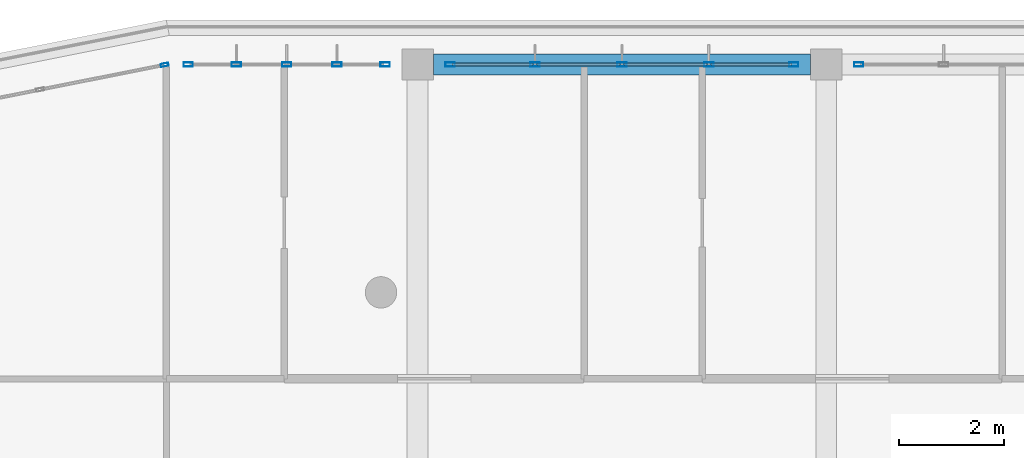
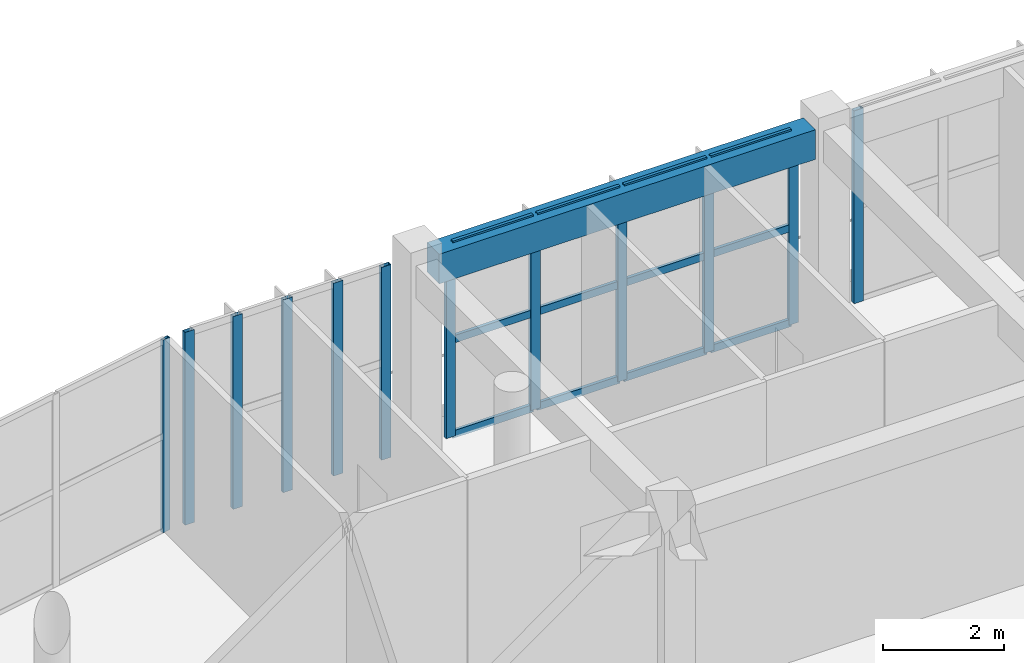
# One storey, part 9 of 56: 24 members, 1 beam, 4 elements without a shape of their own.
"""IFC4 building model written with IfcOpenShell, lengths in metres."""

from ifc_helpers import new_model, si_unit, direction, frame, origin, origin_2d, place, context, subcontext, project, spatial, rectangle, hollow_rectangle, extrude, material, layer, layer_set, material_profile, profile_set, type_object, element, aggregate, save


model = new_model("IFC4")

# Units and contexts
model_context = context("Model", 3, precision=1e-05, world=origin(), true_north=direction((0.0, 1.0)))
body_context = subcontext(model_context, "Body", "Model", "MODEL_VIEW")
ifc_project = project(units=[si_unit("LENGTHUNIT", "METRE"), si_unit("AREAUNIT", "SQUARE_METRE"), si_unit("VOLUMEUNIT", "CUBIC_METRE"), si_unit("PLANEANGLEUNIT", "RADIAN"), si_unit("MASSUNIT", "GRAM", prefix="KILO")], contexts=[model_context])

# Site, building, storey
site_placement = place(None, origin())
site = spatial("IfcSite", under=ifc_project, at=site_placement, CompositionType="ELEMENT")
building_placement = place(site_placement, origin())
building = spatial("IfcBuilding", under=site, at=building_placement, Name="Zizhar Promenade General Hospital", CompositionType="ELEMENT")
storey_placement = place(building_placement, frame((0.0, 0.0, 26.39990234375)))
storey = spatial("IfcBuildingStorey", under=building, at=storey_placement, Name="L06", CompositionType="ELEMENT", Elevation=26.39990234375)

# Beam
ifc_material_1 = material(Name="Concrete C35/45", Category="concrete")
ifc_material_profile_1 = material_profile(ifc_material_1, rectangle(XDim=0.39990234375, YDim=0.60009765625, at=origin_2d()))
ifc_profile_set_1 = profile_set([ifc_material_profile_1], Name="Concrete C35/45")
beam_type = type_object("IfcBeamType", Name="BM-RC-400x600", PredefinedType="JOIST", material=ifc_profile_set_1)
beam_placement = place(storey_placement, frame((39.300048828125, 25.199951171875, 3.610107421875), z_axis=(1.0, 0.0, 0.0), x_axis=(0.0, 1.0, 0.0)))
element("IfcBeam", 1, at=beam_placement, inside=storey, type_object=beam_type, Name="Grid Beam X L06 (5-3)", PredefinedType="JOIST", context=body_context, shape_type="SweptSolid", body=[
    extrude(rectangle(XDim=0.39990234375, YDim=0.60009765625, at=origin_2d()), origin(), (0.0, 0.0, 1.0), 7.199951171875),
])

# Curtain wall, member
ifc_material_2 = material(Name="Anodised aluminium 6063-T6 and low-E glass", Category="aluminium")
ifc_layer_1 = layer(ifc_material_2, 0.159912109375)
ifc_layer_set_1 = layer_set([ifc_layer_1], Name="Anodised aluminium 6063-T6 and low-E glass")
curtain_wall_type_1 = type_object("IfcCurtainWallType", Name="CW-WARD-ARC", PredefinedType="NOTDEFINED", material=ifc_layer_set_1)
curtain_wall_1_placement = place(storey_placement, origin())
curtain_wall_1 = element("IfcCurtainWall", 2, at=curtain_wall_1_placement, inside=storey, type_object=curtain_wall_type_1, Name="Ward Semicircular End Glazing L06-10", PredefinedType="NOTDEFINED")
ifc_material_3 = material(Name="Anodised aluminium 6063-T6", Category="aluminium")
ifc_material_profile_2 = material_profile(ifc_material_3, hollow_rectangle(XDim=0.06005859375, YDim=0.14990234375, WallThickness=0.00390625, at=origin_2d()))
ifc_profile_set_2 = profile_set([ifc_material_profile_2], Name="Anodised aluminium 6063-T6")
member_type_1 = type_object("IfcMemberType", Name="CWM-ALU-150x60", PredefinedType="MULLION", material=ifc_profile_set_2)
member_1_placement = place(storey_placement, frame((34.170654296875, 25.194091796875, 0.0), z_axis=(0.0, 0.0, 1.0), x_axis=(-0.195087259275, 0.980785889615, 0.0)))
member_1 = element("IfcMember", 3, at=member_1_placement, type_object=member_type_1, Name="CW-12 mullion 3", PredefinedType="MULLION", context=body_context, shape_type="SweptSolid", body=[
    extrude(hollow_rectangle(XDim=0.06005859375, YDim=0.14990234375, WallThickness=0.00390625, at=origin_2d()), origin(), (0.0, 0.0, 1.0), 3.900146484375),
])
aggregate(curtain_wall_1, [member_1])

# Curtain wall, members
ifc_material_4 = material(Name="Anodised aluminium 6063-T6 and low-E glass", Category="aluminium")
ifc_layer_2 = layer(ifc_material_4, 0.159912109375)
ifc_layer_set_2 = layer_set([ifc_layer_2], Name="Anodised aluminium 6063-T6 and low-E glass")
curtain_wall_type_2 = type_object("IfcCurtainWallType", Name="CW-WARD-RIB", PredefinedType="NOTDEFINED", material=ifc_layer_set_2)
curtain_wall_2_placement = place(storey_placement, origin())
curtain_wall_2 = element("IfcCurtainWall", 4, at=curtain_wall_2_placement, inside=storey, type_object=curtain_wall_type_2, Name="Ward Ribbon Curtain Wall L06-8-0", PredefinedType="NOTDEFINED")
ifc_material_5 = material(Name="Anodised aluminium 6063-T6", Category="aluminium")
ifc_material_profile_3 = material_profile(ifc_material_5, hollow_rectangle(XDim=0.080078125, YDim=0.179931640625, WallThickness=0.0048828125, at=origin_2d()))
ifc_profile_set_3 = profile_set([ifc_material_profile_3], Name="Anodised aluminium 6063-T6")
member_type_2 = type_object("IfcMemberType", Name="CWM-ALU-180x80", PredefinedType="MULLION", material=ifc_profile_set_3)
member_2_placement = place(storey_placement, frame((34.6201171875, 25.199951171875, 0.0), z_axis=(0.0, 0.0, 1.0), x_axis=(0.0, 1.0, 0.0)))
member_2 = element("IfcMember", 5, at=member_2_placement, type_object=member_type_2, Name="CW-13 mullion 1", PredefinedType="MULLION", context=body_context, shape_type="SweptSolid", body=[
    extrude(hollow_rectangle(XDim=0.080078125, YDim=0.179931640625, WallThickness=0.0048828125, at=origin_2d()), origin(), (0.0, 0.0, 1.0), 3.900146484375),
])
member_3_placement = place(storey_placement, frame((35.5400390625, 25.199951171875, 0.0), z_axis=(0.0, 0.0, 1.0), x_axis=(0.0, 1.0, 0.0)))
member_3 = element("IfcMember", 6, at=member_3_placement, type_object=member_type_2, Name="CW-13 mullion 2", PredefinedType="MULLION", context=body_context, shape_type="SweptSolid", body=[
    extrude(hollow_rectangle(XDim=0.080078125, YDim=0.179931640625, WallThickness=0.0048828125, at=origin_2d()), origin(), (0.0, 0.0, 1.0), 3.900146484375),
])
member_4_placement = place(storey_placement, frame((36.5, 25.199951171875, 0.0), z_axis=(0.0, 0.0, 1.0), x_axis=(0.0, 1.0, 0.0)))
member_4 = element("IfcMember", 7, at=member_4_placement, type_object=member_type_2, Name="CW-13 mullion 3", PredefinedType="MULLION", context=body_context, shape_type="SweptSolid", body=[
    extrude(hollow_rectangle(XDim=0.080078125, YDim=0.179931640625, WallThickness=0.0048828125, at=origin_2d()), origin(), (0.0, 0.0, 1.0), 3.900146484375),
])
member_5_placement = place(storey_placement, frame((37.4599609375, 25.199951171875, 0.0), z_axis=(0.0, 0.0, 1.0), x_axis=(0.0, 1.0, 0.0)))
member_5 = element("IfcMember", 8, at=member_5_placement, type_object=member_type_2, Name="CW-13 mullion 4", PredefinedType="MULLION", context=body_context, shape_type="SweptSolid", body=[
    extrude(hollow_rectangle(XDim=0.080078125, YDim=0.179931640625, WallThickness=0.0048828125, at=origin_2d()), origin(), (0.0, 0.0, 1.0), 3.900146484375),
])
member_6_placement = place(storey_placement, frame((38.3798828125, 25.199951171875, 0.0), z_axis=(0.0, 0.0, 1.0), x_axis=(0.0, 1.0, 0.0)))
member_6 = element("IfcMember", 9, at=member_6_placement, type_object=member_type_2, Name="CW-13 mullion 5", PredefinedType="MULLION", context=body_context, shape_type="SweptSolid", body=[
    extrude(hollow_rectangle(XDim=0.080078125, YDim=0.179931640625, WallThickness=0.0048828125, at=origin_2d()), origin(), (0.0, 0.0, 1.0), 3.900146484375),
])
aggregate(curtain_wall_2, [member_2, member_3, member_4, member_5, member_6])

curtain_wall_3_placement = place(storey_placement, origin())
curtain_wall_3 = element("IfcCurtainWall", 10, at=curtain_wall_3_placement, inside=storey, type_object=curtain_wall_type_2, Name="Ward Ribbon Curtain Wall L06-8-1", PredefinedType="NOTDEFINED")
member_7_placement = place(storey_placement, frame((39.6201171875, 25.199951171875, 0.0), z_axis=(0.0, 0.0, 1.0), x_axis=(0.0, 1.0, 0.0)))
member_7 = element("IfcMember", 11, at=member_7_placement, type_object=member_type_2, Name="CW-13 mullion 1", PredefinedType="MULLION", context=body_context, shape_type="SweptSolid", body=[
    extrude(hollow_rectangle(XDim=0.080078125, YDim=0.179931640625, WallThickness=0.0048828125, at=origin_2d()), origin(), (0.0, 0.0, 1.0), 3.900146484375),
])
member_8_placement = place(storey_placement, frame((41.239990234375, 25.199951171875, 0.0), z_axis=(0.0, 0.0, 1.0), x_axis=(0.0, 1.0, 0.0)))
member_8 = element("IfcMember", 12, at=member_8_placement, type_object=member_type_2, Name="CW-13 mullion 2", PredefinedType="MULLION", context=body_context, shape_type="SweptSolid", body=[
    extrude(hollow_rectangle(XDim=0.080078125, YDim=0.179931640625, WallThickness=0.0048828125, at=origin_2d()), origin(), (0.0, 0.0, 1.0), 3.900146484375),
])
member_9_placement = place(storey_placement, frame((42.89990234375, 25.199951171875, 0.0), z_axis=(0.0, 0.0, 1.0), x_axis=(0.0, 1.0, 0.0)))
member_9 = element("IfcMember", 13, at=member_9_placement, type_object=member_type_2, Name="CW-13 mullion 3", PredefinedType="MULLION", context=body_context, shape_type="SweptSolid", body=[
    extrude(hollow_rectangle(XDim=0.080078125, YDim=0.179931640625, WallThickness=0.0048828125, at=origin_2d()), origin(), (0.0, 0.0, 1.0), 3.900146484375),
])
member_10_placement = place(storey_placement, frame((44.56005859375, 25.199951171875, 0.0), z_axis=(0.0, 0.0, 1.0), x_axis=(0.0, 1.0, 0.0)))
member_10 = element("IfcMember", 14, at=member_10_placement, type_object=member_type_2, Name="CW-13 mullion 4", PredefinedType="MULLION", context=body_context, shape_type="SweptSolid", body=[
    extrude(hollow_rectangle(XDim=0.080078125, YDim=0.179931640625, WallThickness=0.0048828125, at=origin_2d()), origin(), (0.0, 0.0, 1.0), 3.900146484375),
])
member_11_placement = place(storey_placement, frame((46.179931640625, 25.199951171875, 0.0), z_axis=(0.0, 0.0, 1.0), x_axis=(0.0, 1.0, 0.0)))
member_11 = element("IfcMember", 15, at=member_11_placement, type_object=member_type_2, Name="CW-13 mullion 5", PredefinedType="MULLION", context=body_context, shape_type="SweptSolid", body=[
    extrude(hollow_rectangle(XDim=0.080078125, YDim=0.179931640625, WallThickness=0.0048828125, at=origin_2d()), origin(), (0.0, 0.0, 1.0), 3.900146484375),
])

# Curtain wall, member
curtain_wall_4_placement = place(storey_placement, origin())
curtain_wall_4 = element("IfcCurtainWall", 16, at=curtain_wall_4_placement, inside=storey, type_object=curtain_wall_type_2, Name="Ward Ribbon Curtain Wall L06-8-2", PredefinedType="NOTDEFINED")
member_12_placement = place(storey_placement, frame((47.419921875, 25.199951171875, 0.0), z_axis=(0.0, 0.0, 1.0), x_axis=(0.0, 1.0, 0.0)))
member_12 = element("IfcMember", 17, at=member_12_placement, type_object=member_type_2, Name="CW-13 mullion 1", PredefinedType="MULLION", context=body_context, shape_type="SweptSolid", body=[
    extrude(hollow_rectangle(XDim=0.080078125, YDim=0.179931640625, WallThickness=0.0048828125, at=origin_2d()), origin(), (0.0, 0.0, 1.0), 3.900146484375),
])
aggregate(curtain_wall_4, [member_12])

# Member
ifc_material_6 = material(Name="Anodised aluminium 6063-T6", Category="aluminium")
ifc_material_profile_4 = material_profile(ifc_material_6, hollow_rectangle(XDim=0.06005859375, YDim=0.14990234375, WallThickness=0.00390625, at=origin_2d()))
ifc_profile_set_4 = profile_set([ifc_material_profile_4], Name="Anodised aluminium 6063-T6")
member_type_3 = type_object("IfcMemberType", Name="CWT-ALU-150x60", PredefinedType="USERDEFINED", material=ifc_profile_set_4)
member_13_placement = place(storey_placement, frame((39.659912109375, 25.199951171875, 0.030029296875), z_axis=(1.0, 0.0, 0.0), x_axis=(0.0, 1.0, 0.0)))
member_13 = element("IfcMember", 18, at=member_13_placement, type_object=member_type_3, Name="CW-13 transom 1.1", ObjectType="TRANSOM", PredefinedType="USERDEFINED", context=body_context, shape_type="SweptSolid", body=[
    extrude(hollow_rectangle(XDim=0.06005859375, YDim=0.14990234375, WallThickness=0.00390625, at=origin_2d()), origin(), (0.0, 0.0, 1.0), 1.5400390625),
])

member_14_placement = place(storey_placement, frame((39.659912109375, 25.199951171875, 1.9501953125), z_axis=(1.0, 0.0, 0.0), x_axis=(0.0, 1.0, 0.0)))
member_14 = element("IfcMember", 19, at=member_14_placement, type_object=member_type_3, Name="CW-13 transom 1.2", ObjectType="TRANSOM", PredefinedType="USERDEFINED", context=body_context, shape_type="SweptSolid", body=[
    extrude(hollow_rectangle(XDim=0.06005859375, YDim=0.14990234375, WallThickness=0.00390625, at=origin_2d()), origin(), (0.0, 0.0, 1.0), 1.5400390625),
])

member_15_placement = place(storey_placement, frame((39.659912109375, 25.199951171875, 3.8701171875), z_axis=(1.0, 0.0, 0.0), x_axis=(0.0, 1.0, 0.0)))
member_15 = element("IfcMember", 20, at=member_15_placement, type_object=member_type_3, Name="CW-13 transom 1.3", ObjectType="TRANSOM", PredefinedType="USERDEFINED", context=body_context, shape_type="SweptSolid", body=[
    extrude(hollow_rectangle(XDim=0.06005859375, YDim=0.14990234375, WallThickness=0.00390625, at=origin_2d()), origin(), (0.0, 0.0, 1.0), 1.5400390625),
])

member_16_placement = place(storey_placement, frame((41.280029296875, 25.199951171875, 0.030029296875), z_axis=(1.0, 0.0, 0.0), x_axis=(0.0, 1.0, 0.0)))
member_16 = element("IfcMember", 21, at=member_16_placement, type_object=member_type_3, Name="CW-13 transom 2.1", ObjectType="TRANSOM", PredefinedType="USERDEFINED", context=body_context, shape_type="SweptSolid", body=[
    extrude(hollow_rectangle(XDim=0.06005859375, YDim=0.14990234375, WallThickness=0.00390625, at=origin_2d()), origin(), (0.0, 0.0, 1.0), 1.580078125),
])

member_17_placement = place(storey_placement, frame((41.280029296875, 25.199951171875, 1.9501953125), z_axis=(1.0, 0.0, 0.0), x_axis=(0.0, 1.0, 0.0)))
member_17 = element("IfcMember", 22, at=member_17_placement, type_object=member_type_3, Name="CW-13 transom 2.2", ObjectType="TRANSOM", PredefinedType="USERDEFINED", context=body_context, shape_type="SweptSolid", body=[
    extrude(hollow_rectangle(XDim=0.06005859375, YDim=0.14990234375, WallThickness=0.00390625, at=origin_2d()), origin(), (0.0, 0.0, 1.0), 1.580078125),
])

member_18_placement = place(storey_placement, frame((41.280029296875, 25.199951171875, 3.8701171875), z_axis=(1.0, 0.0, 0.0), x_axis=(0.0, 1.0, 0.0)))
member_18 = element("IfcMember", 23, at=member_18_placement, type_object=member_type_3, Name="CW-13 transom 2.3", ObjectType="TRANSOM", PredefinedType="USERDEFINED", context=body_context, shape_type="SweptSolid", body=[
    extrude(hollow_rectangle(XDim=0.06005859375, YDim=0.14990234375, WallThickness=0.00390625, at=origin_2d()), origin(), (0.0, 0.0, 1.0), 1.580078125),
])

member_19_placement = place(storey_placement, frame((42.93994140625, 25.199951171875, 0.030029296875), z_axis=(1.0, 0.0, 0.0), x_axis=(0.0, 1.0, 0.0)))
member_19 = element("IfcMember", 24, at=member_19_placement, type_object=member_type_3, Name="CW-13 transom 3.1", ObjectType="TRANSOM", PredefinedType="USERDEFINED", context=body_context, shape_type="SweptSolid", body=[
    extrude(hollow_rectangle(XDim=0.06005859375, YDim=0.14990234375, WallThickness=0.00390625, at=origin_2d()), origin(), (0.0, 0.0, 1.0), 1.580078125),
])

member_20_placement = place(storey_placement, frame((42.93994140625, 25.199951171875, 1.9501953125), z_axis=(1.0, 0.0, 0.0), x_axis=(0.0, 1.0, 0.0)))
member_20 = element("IfcMember", 25, at=member_20_placement, type_object=member_type_3, Name="CW-13 transom 3.2", ObjectType="TRANSOM", PredefinedType="USERDEFINED", context=body_context, shape_type="SweptSolid", body=[
    extrude(hollow_rectangle(XDim=0.06005859375, YDim=0.14990234375, WallThickness=0.00390625, at=origin_2d()), origin(), (0.0, 0.0, 1.0), 1.580078125),
])

member_21_placement = place(storey_placement, frame((42.93994140625, 25.199951171875, 3.8701171875), z_axis=(1.0, 0.0, 0.0), x_axis=(0.0, 1.0, 0.0)))
member_21 = element("IfcMember", 26, at=member_21_placement, type_object=member_type_3, Name="CW-13 transom 3.3", ObjectType="TRANSOM", PredefinedType="USERDEFINED", context=body_context, shape_type="SweptSolid", body=[
    extrude(hollow_rectangle(XDim=0.06005859375, YDim=0.14990234375, WallThickness=0.00390625, at=origin_2d()), origin(), (0.0, 0.0, 1.0), 1.580078125),
])

member_22_placement = place(storey_placement, frame((44.60009765625, 25.199951171875, 0.030029296875), z_axis=(1.0, 0.0, 0.0), x_axis=(0.0, 1.0, 0.0)))
member_22 = element("IfcMember", 27, at=member_22_placement, type_object=member_type_3, Name="CW-13 transom 4.1", ObjectType="TRANSOM", PredefinedType="USERDEFINED", context=body_context, shape_type="SweptSolid", body=[
    extrude(hollow_rectangle(XDim=0.06005859375, YDim=0.14990234375, WallThickness=0.00390625, at=origin_2d()), origin(), (0.0, 0.0, 1.0), 1.539794921875),
])

member_23_placement = place(storey_placement, frame((44.60009765625, 25.199951171875, 1.9501953125), z_axis=(1.0, 0.0, 0.0), x_axis=(0.0, 1.0, 0.0)))
member_23 = element("IfcMember", 28, at=member_23_placement, type_object=member_type_3, Name="CW-13 transom 4.2", ObjectType="TRANSOM", PredefinedType="USERDEFINED", context=body_context, shape_type="SweptSolid", body=[
    extrude(hollow_rectangle(XDim=0.06005859375, YDim=0.14990234375, WallThickness=0.00390625, at=origin_2d()), origin(), (0.0, 0.0, 1.0), 1.539794921875),
])

member_24_placement = place(storey_placement, frame((44.60009765625, 25.199951171875, 3.8701171875), z_axis=(1.0, 0.0, 0.0), x_axis=(0.0, 1.0, 0.0)))
member_24 = element("IfcMember", 29, at=member_24_placement, type_object=member_type_3, Name="CW-13 transom 4.3", ObjectType="TRANSOM", PredefinedType="USERDEFINED", context=body_context, shape_type="SweptSolid", body=[
    extrude(hollow_rectangle(XDim=0.06005859375, YDim=0.14990234375, WallThickness=0.00390625, at=origin_2d()), origin(), (0.0, 0.0, 1.0), 1.539794921875),
])

aggregate(curtain_wall_3, [member_7, member_8, member_9, member_10, member_11, member_13, member_14, member_15, member_16, member_17, member_18, member_19, member_20, member_21, member_22, member_23, member_24])

save(model, "model.ifc")
